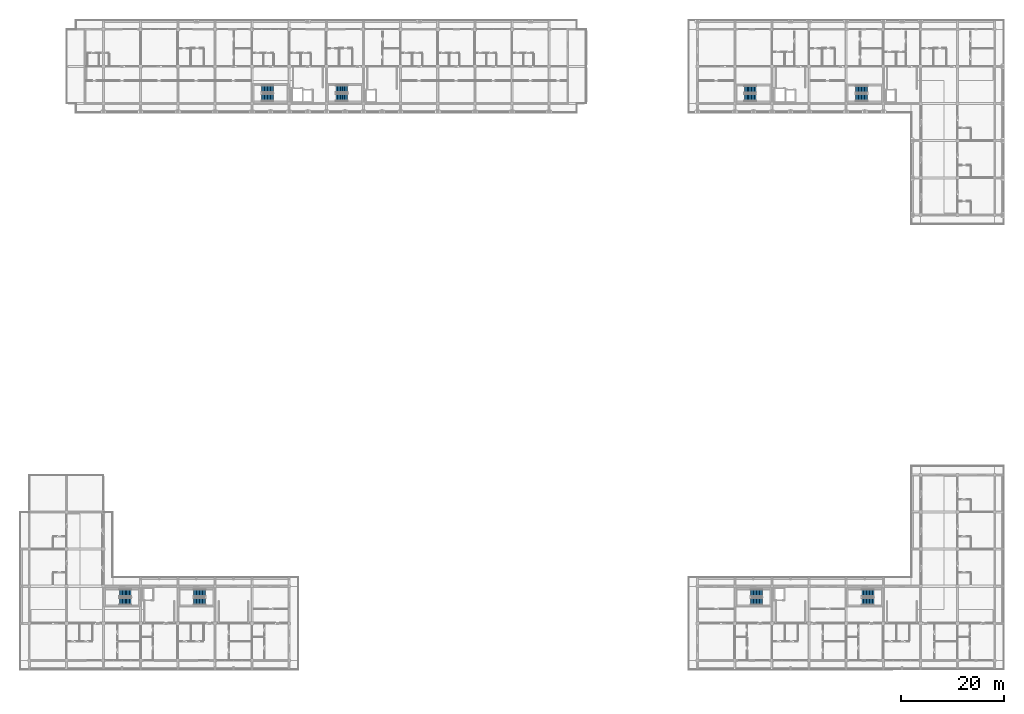
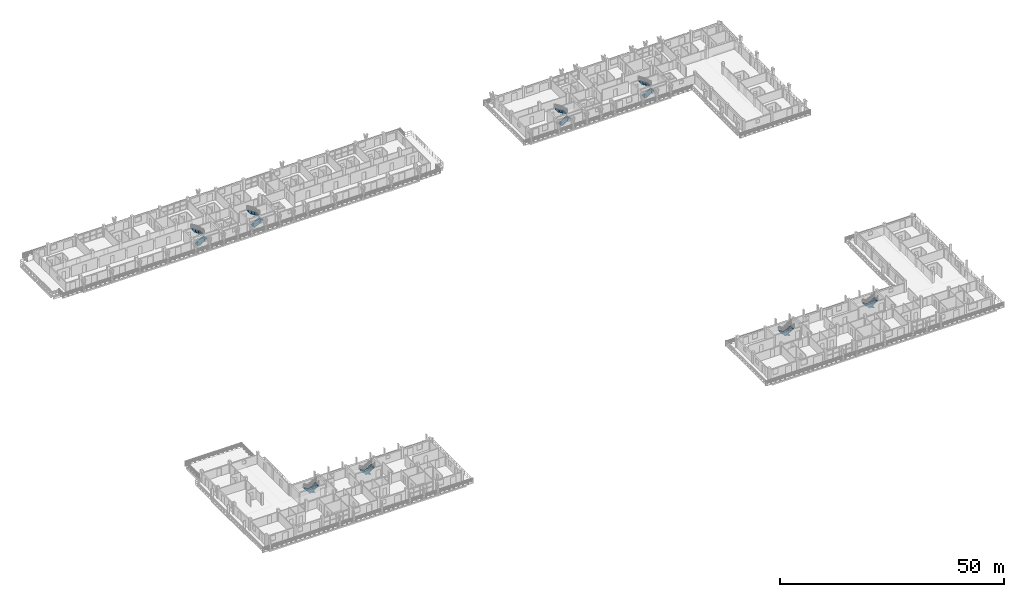
# One storey, part 53 of 67: 16 stair flights, 8 elements without a shape of their own.
"""IFC4 building model written with IfcOpenShell, lengths in metres."""

import ifcopenshell
import ifcopenshell.guid

model = None  # the IFC model being written
_history = None  # IfcOwnerHistory: only IFC2X3 demands one
_inside = {}  # id of a spatial element -> (the spatial element, [elements in it])
_under = {}  # id of a project, library or spatial element -> (it, [spatial elements below it])
_declared = {}  # id of a project -> (the project, [libraries it declares])
_typed = {}  # id of a type object -> (the type object, [elements of that type])
_made_of = {}  # id of a material, layer set ... -> (it, [elements and type objects made of it])


def new_model(schema):
    """Start an empty IFC model of exactly this schema.

    Asked for "IFC4X3", IfcOpenShell would pick the latest addendum, in which some entities
    have other attributes; the version numbers below select the first issue.
    IFC2X3 requires an IfcOwnerHistory on every rooted entity: one is made here for all.
    """
    global model, _history
    if schema == "IFC4X3":
        model = ifcopenshell.file(schema_version=(4, 3, 0, 0))
    else:
        model = ifcopenshell.file(schema=schema)
    _inside.clear()
    _under.clear()
    _declared.clear()
    _typed.clear()
    _made_of.clear()
    _history = None
    if model.schema == "IFC2X3":
        org = make("IfcOrganization", Name="unknown")
        user = make(
            "IfcPersonAndOrganization",
            ThePerson=make("IfcPerson", FamilyName="unknown"),
            TheOrganization=org,
        )
        app = make(
            "IfcApplication",
            ApplicationDeveloper=org,
            Version="unknown",
            ApplicationFullName="unknown",
            ApplicationIdentifier="unknown",
        )
        _history = make(
            "IfcOwnerHistory",
            OwningUser=user,
            OwningApplication=app,
            ChangeAction="ADDED",
            CreationDate=0,
        )
    return model


def make(cls, **values):
    """One entity of the class cls with the attributes given. An attribute that is None is left unset."""
    return model.create_entity(
        cls, **{name: value for name, value in values.items() if value is not None}
    )


def rooted(cls, **values):
    """An entity with a GlobalId (a new one), such as an element, a storey or a relation."""
    return make(cls, GlobalId=ifcopenshell.guid.new(), OwnerHistory=_history, **values)


def si_unit(unit_type, name, prefix=None):
    """IfcSIUnit, for example si_unit("LENGTHUNIT", "METRE", prefix="MILLI")."""
    return make("IfcSIUnit", UnitType=unit_type, Prefix=prefix, Name=name)


def assignment(units):
    """IfcUnitAssignment: the units of a project."""
    return None if units is None else make("IfcUnitAssignment", Units=units)


def point(xyz):
    """IfcCartesianPoint."""
    return None if xyz is None else make("IfcCartesianPoint", Coordinates=xyz)


def direction(xyz):
    """IfcDirection."""
    return None if xyz is None else make("IfcDirection", DirectionRatios=xyz)


def frame(location, z_axis=None, x_axis=None):
    """IfcAxis2Placement3D, a coordinate frame: its origin and axes. An axis left out is left unset."""
    return make(
        "IfcAxis2Placement3D",
        Location=point(location),
        Axis=direction(z_axis),
        RefDirection=direction(x_axis),
    )


def origin():
    """The frame at (0, 0, 0) with its axes left unset."""
    return frame((0.0, 0.0, 0.0))


def place(relative_to, where):
    """IfcLocalPlacement: puts the frame where relative to a parent placement (None: the world)."""
    return make(
        "IfcLocalPlacement", PlacementRelTo=relative_to, RelativePlacement=where
    )


def context(
    kind, dimensions, precision=None, world=None, true_north=None, identifier=None
):
    """IfcGeometricRepresentationContext, for example the 3D "Model" context."""
    return make(
        "IfcGeometricRepresentationContext",
        ContextIdentifier=identifier,
        ContextType=kind,
        CoordinateSpaceDimension=dimensions,
        Precision=precision,
        WorldCoordinateSystem=world,
        TrueNorth=true_north,
    )


def subcontext(parent, identifier, kind, view, scale=None):
    """IfcGeometricRepresentationSubContext, for example "Body" below "Model"."""
    return make(
        "IfcGeometricRepresentationSubContext",
        ContextIdentifier=identifier,
        ContextType=kind,
        ParentContext=parent,
        TargetScale=scale,
        TargetView=view,
    )


def project(units=None, contexts=None):
    """IfcProject with its units and contexts."""
    return rooted(
        "IfcProject",
        Name="project",
        RepresentationContexts=contexts,
        UnitsInContext=assignment(units),
    )


def spatial(cls, under=None, at=None, **own):
    """A site, building, storey or space (cls), placed at a placement, below another one or the project."""
    s = rooted(cls, ObjectPlacement=at, **own)
    if under is not None:
        _under.setdefault(under.id(), (under, []))[1].append(s)
    return s


def polyline(points):
    """IfcPolyline through the points."""
    return make("IfcPolyline", Points=[point(p) for p in points])


def outline(outer, holes=None, kind="AREA"):
    """IfcArbitraryClosedProfileDef: a profile drawn as a closed curve; with holes, ...WithVoids."""
    if holes is None:
        return make("IfcArbitraryClosedProfileDef", ProfileType=kind, OuterCurve=outer)
    return make(
        "IfcArbitraryProfileDefWithVoids",
        ProfileType=kind,
        OuterCurve=outer,
        InnerCurves=holes,
    )


def extrude(swept, where, along, depth):
    """IfcExtrudedAreaSolid: the profile swept, set in the frame where, extruded along a direction by depth."""
    return make(
        "IfcExtrudedAreaSolid",
        SweptArea=swept,
        Position=where,
        ExtrudedDirection=direction(along),
        Depth=depth,
    )


def shape(context_of_items, identifier, shape_type, items):
    """IfcShapeRepresentation: the items that make up one representation, for example the "Body"."""
    return make(
        "IfcShapeRepresentation",
        ContextOfItems=context_of_items,
        RepresentationIdentifier=identifier,
        RepresentationType=shape_type,
        Items=items,
    )


def material(Name=None, Category=None):
    """IfcMaterial."""
    return make("IfcMaterial", Name=Name, Category=Category)


def made_of(thing, what):
    """Note that an element or type object is made of a material, layer set ...; save() writes the relation."""
    if what is not None:
        _made_of.setdefault(what.id(), (what, []))[1].append(thing)
    return thing


def type_object(cls, material=None, **own):
    """A type object (cls), such as IfcWallType, which elements share."""
    return made_of(rooted(cls, **own), material)


def element(
    cls,
    number,
    at=None,
    inside=None,
    cuts=None,
    type_object=None,
    material=None,
    context=None,
    identifier="Body",
    shape_type=None,
    held_by="IfcProductDefinitionShape",
    body=None,
    shapes=None,
    **own,
):
    """One element of the class cls, such as IfcWall. Its Tag is "e" and its number.

    at: its placement. inside: the storey or other place that contains it. cuts: it is an
    opening in that element (IfcRelVoidsElement). A single representation is given by context,
    identifier, shape_type and body (its items); several are given by shapes. held_by: the class
    of the entity that holds the representations. save() writes the other relations.
    """
    e = rooted(cls, Tag="e%d" % number, ObjectPlacement=at, **own)
    if body is not None:
        shapes = [shape(context, identifier, shape_type, body)]
    if shapes is not None:
        e.Representation = make(held_by, Representations=shapes)
    if inside is not None:
        _inside.setdefault(inside.id(), (inside, []))[1].append(e)
    if cuts is not None:
        rooted(
            "IfcRelVoidsElement", RelatingBuildingElement=cuts, RelatedOpeningElement=e
        )
    if type_object is not None:
        _typed.setdefault(type_object.id(), (type_object, []))[1].append(e)
    return made_of(e, material)


def aggregate(whole, parts):
    """IfcRelAggregates: a whole, such as a stair, and the parts it consists of."""
    return rooted("IfcRelAggregates", RelatingObject=whole, RelatedObjects=parts)


def save(model, path):
    """Write the relations noted so far, then the file.

    IfcRelAggregates (storeys below a building ...), IfcRelContainedInSpatialStructure (elements
    in a storey), IfcRelDefinesByType, IfcRelAssociatesMaterial and IfcRelDeclares: one each for
    every whole, place, type object, material and project.
    """
    for whole, parts in _under.values():
        aggregate(whole, parts)
    for where, things in _inside.values():
        rooted(
            "IfcRelContainedInSpatialStructure",
            RelatedElements=things,
            RelatingStructure=where,
        )
    for kind, things in _typed.values():
        rooted("IfcRelDefinesByType", RelatedObjects=things, RelatingType=kind)
    for what, things in _made_of.values():
        rooted("IfcRelAssociatesMaterial", RelatedObjects=things, RelatingMaterial=what)
    for by, libraries in _declared.values():
        rooted("IfcRelDeclares", RelatingContext=by, RelatedDefinitions=libraries)
    model.write(path)


model = new_model("IFC4")

# Units and contexts
model_context = context("Model", 3, precision=1e-05, world=origin(), true_north=direction((0.0, 1.0)))
body_context = subcontext(model_context, "Body", "Model", "MODEL_VIEW")
ifc_project = project(units=[si_unit("LENGTHUNIT", "METRE"), si_unit("AREAUNIT", "SQUARE_METRE"), si_unit("VOLUMEUNIT", "CUBIC_METRE"), si_unit("PLANEANGLEUNIT", "RADIAN"), si_unit("MASSUNIT", "GRAM", prefix="KILO")], contexts=[model_context])

# Site, building, storey
site_placement = place(None, origin())
site = spatial("IfcSite", under=ifc_project, at=site_placement, CompositionType="ELEMENT")
building_placement = place(site_placement, origin())
building = spatial("IfcBuilding", under=site, at=building_placement, Name="Suanplinth Sawtooth Commons", CompositionType="ELEMENT")
storey_placement = place(building_placement, frame((0.0, 0.0, 25.10009765625)))
storey = spatial("IfcBuildingStorey", under=building, at=storey_placement, Name="L07", CompositionType="ELEMENT", Elevation=25.10009765625)

# Stair, stair flights
ifc_material = material(Name="Concrete C40/50", Category="concrete")
stair_type_1 = type_object("IfcStairType", Name="ST-03", PredefinedType="USERDEFINED", material=ifc_material)
stair_1_placement = place(storey_placement, origin())
stair_1 = element("IfcStair", 1, at=stair_1_placement, inside=storey, type_object=stair_type_1, Name="L07 Exit Stair ST-N1", ObjectType="TWO_RETURN_STAIR", PredefinedType="USERDEFINED")
stair_flight_type_1 = type_object("IfcStairFlightType", Name="SF-04", PredefinedType="STRAIGHT", material=ifc_material)
stair_flight_1_placement = place(storey_placement, frame((45.050048828125, 109.175048828125, 0.0), z_axis=(0.0, 0.0, 1.0), x_axis=(1.0, 0.0, 0.0)))
stair_flight_1 = element("IfcStairFlight", 2, at=stair_flight_1_placement, type_object=stair_flight_type_1, Name="ST-03 flight 1", NumberOfRisers=9, NumberOfTreads=8, PredefinedType="STRAIGHT", RiserHeight=0.177777778, TreadLength=0.285, context=body_context, shape_type="SweptSolid", body=[
    extrude(outline(polyline([(0.0, 0.0), (0.0, 0.177734375), (0.284912109375, 0.177734375), (0.284912109375, 0.35546875), (0.570068359375, 0.35546875), (0.570068359375, 0.533447265625), (0.85498046875, 0.533447265625), (0.85498046875, 0.711181640625), (1.139892578125, 0.711181640625), (1.139892578125, 0.888916015625), (1.425048828125, 0.888916015625), (1.425048828125, 1.066650390625), (1.7099609375, 1.066650390625), (1.7099609375, 1.244384765625), (1.9951171875, 1.244384765625), (1.9951171875, 1.422119140625), (2.280029296875, 1.422119140625), (2.280029296875, 1.60009765625), (2.280029296875, 1.233642578125), (0.30224609375, 0.0), (0.0, 0.0)])), frame((0.0, 0.72509765625, 0.0), z_axis=(0.0, -1.0, 0.0), x_axis=(1.0, 0.0, 0.0)), (0.0, 0.0, 1.0), 1.449951171875),
])
stair_flight_2_placement = place(storey_placement, frame((47.330078125, 110.824951171875, 1.599853515625), z_axis=(0.0, 0.0, 1.0), x_axis=(-1.0, 0.0, 0.0)))
stair_flight_2 = element("IfcStairFlight", 3, at=stair_flight_2_placement, type_object=stair_flight_type_1, Name="ST-03 flight 2", NumberOfRisers=9, NumberOfTreads=8, PredefinedType="STRAIGHT", RiserHeight=0.177777778, TreadLength=0.285, context=body_context, shape_type="SweptSolid", body=[
    extrude(outline(polyline([(0.0, 0.0), (0.0, 0.177734375), (0.284912109375, 0.177734375), (0.284912109375, 0.35546875), (0.570068359375, 0.35546875), (0.570068359375, 0.533447265625), (0.85498046875, 0.533447265625), (0.85498046875, 0.711181640625), (1.139892578125, 0.711181640625), (1.139892578125, 0.888916015625), (1.425048828125, 0.888916015625), (1.425048828125, 1.066650390625), (1.7099609375, 1.066650390625), (1.7099609375, 1.244384765625), (1.9951171875, 1.244384765625), (1.9951171875, 1.422119140625), (2.280029296875, 1.422119140625), (2.280029296875, 1.60009765625), (2.280029296875, 1.233642578125), (0.30224609375, 0.0), (0.0, 0.0)])), frame((0.0, 0.72509765625, 0.0), z_axis=(0.0, -1.0, 0.0), x_axis=(1.0, 0.0, 0.0)), (0.0, 0.0, 1.0), 1.449951171875),
])
aggregate(stair_1, [stair_flight_1, stair_flight_2])

stair_2_placement = place(storey_placement, origin())
stair_2 = element("IfcStair", 4, at=stair_2_placement, inside=storey, type_object=stair_type_1, Name="L07 Exit Stair ST-N2", ObjectType="TWO_RETURN_STAIR", PredefinedType="USERDEFINED")
stair_flight_3_placement = place(storey_placement, frame((59.449951171875, 109.175048828125, 0.0), z_axis=(0.0, 0.0, 1.0), x_axis=(1.0, 0.0, 0.0)))
stair_flight_3 = element("IfcStairFlight", 5, at=stair_flight_3_placement, type_object=stair_flight_type_1, Name="ST-03 flight 1", NumberOfRisers=9, NumberOfTreads=8, PredefinedType="STRAIGHT", RiserHeight=0.177777778, TreadLength=0.285, context=body_context, shape_type="SweptSolid", body=[
    extrude(outline(polyline([(0.0, 0.0), (0.0, 0.177734375), (0.284912109375, 0.177734375), (0.284912109375, 0.35546875), (0.570068359375, 0.35546875), (0.570068359375, 0.533447265625), (0.85498046875, 0.533447265625), (0.85498046875, 0.711181640625), (1.139892578125, 0.711181640625), (1.139892578125, 0.888916015625), (1.425048828125, 0.888916015625), (1.425048828125, 1.066650390625), (1.7099609375, 1.066650390625), (1.7099609375, 1.244384765625), (1.9951171875, 1.244384765625), (1.9951171875, 1.422119140625), (2.280029296875, 1.422119140625), (2.280029296875, 1.60009765625), (2.280029296875, 1.233642578125), (0.30224609375, 0.0), (0.0, 0.0)])), frame((0.0, 0.72509765625, 0.0), z_axis=(0.0, -1.0, 0.0), x_axis=(1.0, 0.0, 0.0)), (0.0, 0.0, 1.0), 1.449951171875),
])
stair_flight_4_placement = place(storey_placement, frame((61.72998046875, 110.824951171875, 1.599853515625), z_axis=(0.0, 0.0, 1.0), x_axis=(-1.0, 0.0, 0.0)))
stair_flight_4 = element("IfcStairFlight", 6, at=stair_flight_4_placement, type_object=stair_flight_type_1, Name="ST-03 flight 2", NumberOfRisers=9, NumberOfTreads=8, PredefinedType="STRAIGHT", RiserHeight=0.177777778, TreadLength=0.285, context=body_context, shape_type="SweptSolid", body=[
    extrude(outline(polyline([(0.0, 0.0), (0.0, 0.177734375), (0.284912109375, 0.177734375), (0.284912109375, 0.35546875), (0.570068359375, 0.35546875), (0.570068359375, 0.533447265625), (0.85498046875, 0.533447265625), (0.85498046875, 0.711181640625), (1.139892578125, 0.711181640625), (1.139892578125, 0.888916015625), (1.425048828125, 0.888916015625), (1.425048828125, 1.066650390625), (1.7099609375, 1.066650390625), (1.7099609375, 1.244384765625), (1.9951171875, 1.244384765625), (1.9951171875, 1.422119140625), (2.280029296875, 1.422119140625), (2.280029296875, 1.60009765625), (2.280029296875, 1.233642578125), (0.30224609375, 0.0), (0.0, 0.0)])), frame((0.0, 0.72509765625, 0.0), z_axis=(0.0, -1.0, 0.0), x_axis=(1.0, 0.0, 0.0)), (0.0, 0.0, 1.0), 1.449951171875),
])
aggregate(stair_2, [stair_flight_3, stair_flight_4])

stair_type_2 = type_object("IfcStairType", Name="ST-07", PredefinedType="USERDEFINED", material=ifc_material)
stair_3_placement = place(storey_placement, origin())
stair_3 = element("IfcStair", 7, at=stair_3_placement, inside=storey, type_object=stair_type_2, Name="L07 Exit Stair ST-E1", ObjectType="TWO_RETURN_STAIR", PredefinedType="USERDEFINED")
stair_flight_type_2 = type_object("IfcStairFlightType", Name="SF-08", PredefinedType="STRAIGHT", material=ifc_material)
stair_flight_5_placement = place(storey_placement, frame((138.64990234375, 109.14990234375, 0.0), z_axis=(0.0, 0.0, 1.0), x_axis=(1.0, 0.0, 0.0)))
stair_flight_5 = element("IfcStairFlight", 8, at=stair_flight_5_placement, type_object=stair_flight_type_2, Name="ST-07 flight 1", NumberOfRisers=9, NumberOfTreads=8, PredefinedType="STRAIGHT", RiserHeight=0.177777778, TreadLength=0.285, context=body_context, shape_type="SweptSolid", body=[
    extrude(outline(polyline([(0.0, 0.0), (0.0, 0.177734375), (0.284912109375, 0.177734375), (0.284912109375, 0.35546875), (0.570068359375, 0.35546875), (0.570068359375, 0.533447265625), (0.85498046875, 0.533447265625), (0.85498046875, 0.711181640625), (1.139892578125, 0.711181640625), (1.139892578125, 0.888916015625), (1.425048828125, 0.888916015625), (1.425048828125, 1.066650390625), (1.7099609375, 1.066650390625), (1.7099609375, 1.244384765625), (1.9951171875, 1.244384765625), (1.9951171875, 1.422119140625), (2.280029296875, 1.422119140625), (2.280029296875, 1.60009765625), (2.280029296875, 1.233642578125), (0.30224609375, 0.0), (0.0, 0.0)])), frame((0.0, 0.699951171875, 0.0), z_axis=(0.0, -1.0, 0.0), x_axis=(1.0, 0.0, 0.0)), (0.0, 0.0, 1.0), 1.39990234375),
])
stair_flight_6_placement = place(storey_placement, frame((140.929931640625, 110.75, 1.599853515625), z_axis=(0.0, 0.0, 1.0), x_axis=(-1.0, 0.0, 0.0)))
stair_flight_6 = element("IfcStairFlight", 9, at=stair_flight_6_placement, type_object=stair_flight_type_2, Name="ST-07 flight 2", NumberOfRisers=9, NumberOfTreads=8, PredefinedType="STRAIGHT", RiserHeight=0.177777778, TreadLength=0.285, context=body_context, shape_type="SweptSolid", body=[
    extrude(outline(polyline([(0.0, 0.0), (0.0, 0.177734375), (0.284912109375, 0.177734375), (0.284912109375, 0.35546875), (0.570068359375, 0.35546875), (0.570068359375, 0.533447265625), (0.85498046875, 0.533447265625), (0.85498046875, 0.711181640625), (1.139892578125, 0.711181640625), (1.139892578125, 0.888916015625), (1.425048828125, 0.888916015625), (1.425048828125, 1.066650390625), (1.7099609375, 1.066650390625), (1.7099609375, 1.244384765625), (1.9951171875, 1.244384765625), (1.9951171875, 1.422119140625), (2.280029296875, 1.422119140625), (2.280029296875, 1.60009765625), (2.280029296875, 1.233642578125), (0.30224609375, 0.0), (0.0, 0.0)])), frame((0.0, 0.699951171875, 0.0), z_axis=(0.0, -1.0, 0.0), x_axis=(1.0, 0.0, 0.0)), (0.0, 0.0, 1.0), 1.39990234375),
])
aggregate(stair_3, [stair_flight_5, stair_flight_6])

stair_4_placement = place(storey_placement, origin())
stair_4 = element("IfcStair", 10, at=stair_4_placement, inside=storey, type_object=stair_type_2, Name="L07 Exit Stair ST-E2", ObjectType="TWO_RETURN_STAIR", PredefinedType="USERDEFINED")
stair_flight_7_placement = place(storey_placement, frame((160.25, 109.14990234375, 0.0), z_axis=(0.0, 0.0, 1.0), x_axis=(1.0, 0.0, 0.0)))
stair_flight_7 = element("IfcStairFlight", 11, at=stair_flight_7_placement, type_object=stair_flight_type_2, Name="ST-07 flight 1", NumberOfRisers=9, NumberOfTreads=8, PredefinedType="STRAIGHT", RiserHeight=0.177777778, TreadLength=0.285, context=body_context, shape_type="SweptSolid", body=[
    extrude(outline(polyline([(0.0, 0.0), (0.0, 0.177734375), (0.284912109375, 0.177734375), (0.284912109375, 0.35546875), (0.570068359375, 0.35546875), (0.570068359375, 0.533447265625), (0.85498046875, 0.533447265625), (0.85498046875, 0.711181640625), (1.139892578125, 0.711181640625), (1.139892578125, 0.888916015625), (1.425048828125, 0.888916015625), (1.425048828125, 1.066650390625), (1.7099609375, 1.066650390625), (1.7099609375, 1.244384765625), (1.9951171875, 1.244384765625), (1.9951171875, 1.422119140625), (2.280029296875, 1.422119140625), (2.280029296875, 1.60009765625), (2.280029296875, 1.233642578125), (0.30224609375, 0.0), (0.0, 0.0)])), frame((0.0, 0.699951171875, 0.0), z_axis=(0.0, -1.0, 0.0), x_axis=(1.0, 0.0, 0.0)), (0.0, 0.0, 1.0), 1.39990234375),
])
stair_flight_8_placement = place(storey_placement, frame((162.530029296875, 110.75, 1.599853515625), z_axis=(0.0, 0.0, 1.0), x_axis=(-1.0, 0.0, 0.0)))
stair_flight_8 = element("IfcStairFlight", 12, at=stair_flight_8_placement, type_object=stair_flight_type_2, Name="ST-07 flight 2", NumberOfRisers=9, NumberOfTreads=8, PredefinedType="STRAIGHT", RiserHeight=0.177777778, TreadLength=0.285, context=body_context, shape_type="SweptSolid", body=[
    extrude(outline(polyline([(0.0, 0.0), (0.0, 0.177734375), (0.284912109375, 0.177734375), (0.284912109375, 0.35546875), (0.570068359375, 0.35546875), (0.570068359375, 0.533447265625), (0.85498046875, 0.533447265625), (0.85498046875, 0.711181640625), (1.139892578125, 0.711181640625), (1.139892578125, 0.888916015625), (1.425048828125, 0.888916015625), (1.425048828125, 1.066650390625), (1.7099609375, 1.066650390625), (1.7099609375, 1.244384765625), (1.9951171875, 1.244384765625), (1.9951171875, 1.422119140625), (2.280029296875, 1.422119140625), (2.280029296875, 1.60009765625), (2.280029296875, 1.233642578125), (0.30224609375, 0.0), (0.0, 0.0)])), frame((0.0, 0.699951171875, 0.0), z_axis=(0.0, -1.0, 0.0), x_axis=(1.0, 0.0, 0.0)), (0.0, 0.0, 1.0), 1.39990234375),
])
aggregate(stair_4, [stair_flight_7, stair_flight_8])

stair_5_placement = place(storey_placement, origin())
stair_5 = element("IfcStair", 13, at=stair_5_placement, inside=storey, type_object=stair_type_2, Name="L07 Exit Stair ST-S1", ObjectType="TWO_RETURN_STAIR", PredefinedType="USERDEFINED")
stair_flight_9_placement = place(storey_placement, frame((142.14990234375, 13.050048828125, 0.0), z_axis=(0.0, 0.0, 1.0), x_axis=(-1.0, 0.0, 0.0)))
stair_flight_9 = element("IfcStairFlight", 14, at=stair_flight_9_placement, type_object=stair_flight_type_2, Name="ST-07 flight 1", NumberOfRisers=9, NumberOfTreads=8, PredefinedType="STRAIGHT", RiserHeight=0.177777778, TreadLength=0.285, context=body_context, shape_type="SweptSolid", body=[
    extrude(outline(polyline([(0.0, 0.0), (0.0, 0.177734375), (0.284912109375, 0.177734375), (0.284912109375, 0.35546875), (0.570068359375, 0.35546875), (0.570068359375, 0.533447265625), (0.85498046875, 0.533447265625), (0.85498046875, 0.711181640625), (1.139892578125, 0.711181640625), (1.139892578125, 0.888916015625), (1.425048828125, 0.888916015625), (1.425048828125, 1.066650390625), (1.7099609375, 1.066650390625), (1.7099609375, 1.244384765625), (1.9951171875, 1.244384765625), (1.9951171875, 1.422119140625), (2.280029296875, 1.422119140625), (2.280029296875, 1.60009765625), (2.280029296875, 1.233642578125), (0.30224609375, 0.0), (0.0, 0.0)])), frame((0.0, 0.699951171875, 0.0), z_axis=(0.0, -1.0, 0.0), x_axis=(1.0, 0.0, 0.0)), (0.0, 0.0, 1.0), 1.39990234375),
])
stair_flight_10_placement = place(storey_placement, frame((139.8701171875, 11.449951171875, 1.599853515625), z_axis=(0.0, 0.0, 1.0), x_axis=(1.0, 0.0, 0.0)))
stair_flight_10 = element("IfcStairFlight", 15, at=stair_flight_10_placement, type_object=stair_flight_type_2, Name="ST-07 flight 2", NumberOfRisers=9, NumberOfTreads=8, PredefinedType="STRAIGHT", RiserHeight=0.177777778, TreadLength=0.285, context=body_context, shape_type="SweptSolid", body=[
    extrude(outline(polyline([(0.0, 0.0), (0.0, 0.177734375), (0.284912109375, 0.177734375), (0.284912109375, 0.35546875), (0.570068359375, 0.35546875), (0.570068359375, 0.533447265625), (0.85498046875, 0.533447265625), (0.85498046875, 0.711181640625), (1.139892578125, 0.711181640625), (1.139892578125, 0.888916015625), (1.425048828125, 0.888916015625), (1.425048828125, 1.066650390625), (1.7099609375, 1.066650390625), (1.7099609375, 1.244384765625), (1.9951171875, 1.244384765625), (1.9951171875, 1.422119140625), (2.280029296875, 1.422119140625), (2.280029296875, 1.60009765625), (2.280029296875, 1.233642578125), (0.30224609375, 0.0), (0.0, 0.0)])), frame((0.0, 0.699951171875, 0.0), z_axis=(0.0, -1.0, 0.0), x_axis=(1.0, 0.0, 0.0)), (0.0, 0.0, 1.0), 1.39990234375),
])
aggregate(stair_5, [stair_flight_9, stair_flight_10])

stair_6_placement = place(storey_placement, origin())
stair_6 = element("IfcStair", 16, at=stair_6_placement, inside=storey, type_object=stair_type_2, Name="L07 Exit Stair ST-S2", ObjectType="TWO_RETURN_STAIR", PredefinedType="USERDEFINED")
stair_flight_11_placement = place(storey_placement, frame((163.75, 13.050048828125, 0.0), z_axis=(0.0, 0.0, 1.0), x_axis=(-1.0, 0.0, 0.0)))
stair_flight_11 = element("IfcStairFlight", 17, at=stair_flight_11_placement, type_object=stair_flight_type_2, Name="ST-07 flight 1", NumberOfRisers=9, NumberOfTreads=8, PredefinedType="STRAIGHT", RiserHeight=0.177777778, TreadLength=0.285, context=body_context, shape_type="SweptSolid", body=[
    extrude(outline(polyline([(0.0, 0.0), (0.0, 0.177734375), (0.284912109375, 0.177734375), (0.284912109375, 0.35546875), (0.570068359375, 0.35546875), (0.570068359375, 0.533447265625), (0.85498046875, 0.533447265625), (0.85498046875, 0.711181640625), (1.139892578125, 0.711181640625), (1.139892578125, 0.888916015625), (1.425048828125, 0.888916015625), (1.425048828125, 1.066650390625), (1.7099609375, 1.066650390625), (1.7099609375, 1.244384765625), (1.9951171875, 1.244384765625), (1.9951171875, 1.422119140625), (2.280029296875, 1.422119140625), (2.280029296875, 1.60009765625), (2.280029296875, 1.233642578125), (0.30224609375, 0.0), (0.0, 0.0)])), frame((0.0, 0.699951171875, 0.0), z_axis=(0.0, -1.0, 0.0), x_axis=(1.0, 0.0, 0.0)), (0.0, 0.0, 1.0), 1.39990234375),
])
stair_flight_12_placement = place(storey_placement, frame((161.469970703125, 11.449951171875, 1.599853515625), z_axis=(0.0, 0.0, 1.0), x_axis=(1.0, 0.0, 0.0)))
stair_flight_12 = element("IfcStairFlight", 18, at=stair_flight_12_placement, type_object=stair_flight_type_2, Name="ST-07 flight 2", NumberOfRisers=9, NumberOfTreads=8, PredefinedType="STRAIGHT", RiserHeight=0.177777778, TreadLength=0.285, context=body_context, shape_type="SweptSolid", body=[
    extrude(outline(polyline([(0.0, 0.0), (0.0, 0.177734375), (0.284912109375, 0.177734375), (0.284912109375, 0.35546875), (0.570068359375, 0.35546875), (0.570068359375, 0.533447265625), (0.85498046875, 0.533447265625), (0.85498046875, 0.711181640625), (1.139892578125, 0.711181640625), (1.139892578125, 0.888916015625), (1.425048828125, 0.888916015625), (1.425048828125, 1.066650390625), (1.7099609375, 1.066650390625), (1.7099609375, 1.244384765625), (1.9951171875, 1.244384765625), (1.9951171875, 1.422119140625), (2.280029296875, 1.422119140625), (2.280029296875, 1.60009765625), (2.280029296875, 1.233642578125), (0.30224609375, 0.0), (0.0, 0.0)])), frame((0.0, 0.699951171875, 0.0), z_axis=(0.0, -1.0, 0.0), x_axis=(1.0, 0.0, 0.0)), (0.0, 0.0, 1.0), 1.39990234375),
])
aggregate(stair_6, [stair_flight_11, stair_flight_12])

stair_7_placement = place(storey_placement, origin())
stair_7 = element("IfcStair", 19, at=stair_7_placement, inside=storey, type_object=stair_type_2, Name="L07 Exit Stair ST-W1", ObjectType="TWO_RETURN_STAIR", PredefinedType="USERDEFINED")
stair_flight_13_placement = place(storey_placement, frame((19.75, 13.050048828125, 0.0), z_axis=(0.0, 0.0, 1.0), x_axis=(-1.0, 0.0, 0.0)))
stair_flight_13 = element("IfcStairFlight", 20, at=stair_flight_13_placement, type_object=stair_flight_type_2, Name="ST-07 flight 1", NumberOfRisers=9, NumberOfTreads=8, PredefinedType="STRAIGHT", RiserHeight=0.177777778, TreadLength=0.285, context=body_context, shape_type="SweptSolid", body=[
    extrude(outline(polyline([(0.0, 0.0), (0.0, 0.177734375), (0.284912109375, 0.177734375), (0.284912109375, 0.35546875), (0.570068359375, 0.35546875), (0.570068359375, 0.533447265625), (0.85498046875, 0.533447265625), (0.85498046875, 0.711181640625), (1.139892578125, 0.711181640625), (1.139892578125, 0.888916015625), (1.425048828125, 0.888916015625), (1.425048828125, 1.066650390625), (1.7099609375, 1.066650390625), (1.7099609375, 1.244384765625), (1.9951171875, 1.244384765625), (1.9951171875, 1.422119140625), (2.280029296875, 1.422119140625), (2.280029296875, 1.60009765625), (2.280029296875, 1.233642578125), (0.30224609375, 0.0), (0.0, 0.0)])), frame((0.0, 0.699951171875, 0.0), z_axis=(0.0, -1.0, 0.0), x_axis=(1.0, 0.0, 0.0)), (0.0, 0.0, 1.0), 1.39990234375),
])
stair_flight_14_placement = place(storey_placement, frame((17.469970703125, 11.449951171875, 1.599853515625), z_axis=(0.0, 0.0, 1.0), x_axis=(1.0, 0.0, 0.0)))
stair_flight_14 = element("IfcStairFlight", 21, at=stair_flight_14_placement, type_object=stair_flight_type_2, Name="ST-07 flight 2", NumberOfRisers=9, NumberOfTreads=8, PredefinedType="STRAIGHT", RiserHeight=0.177777778, TreadLength=0.285, context=body_context, shape_type="SweptSolid", body=[
    extrude(outline(polyline([(0.0, 0.0), (0.0, 0.177734375), (0.284912109375, 0.177734375), (0.284912109375, 0.35546875), (0.570068359375, 0.35546875), (0.570068359375, 0.533447265625), (0.85498046875, 0.533447265625), (0.85498046875, 0.711181640625), (1.139892578125, 0.711181640625), (1.139892578125, 0.888916015625), (1.425048828125, 0.888916015625), (1.425048828125, 1.066650390625), (1.7099609375, 1.066650390625), (1.7099609375, 1.244384765625), (1.9951171875, 1.244384765625), (1.9951171875, 1.422119140625), (2.280029296875, 1.422119140625), (2.280029296875, 1.60009765625), (2.280029296875, 1.233642578125), (0.30224609375, 0.0), (0.0, 0.0)])), frame((0.0, 0.699951171875, 0.0), z_axis=(0.0, -1.0, 0.0), x_axis=(1.0, 0.0, 0.0)), (0.0, 0.0, 1.0), 1.39990234375),
])
aggregate(stair_7, [stair_flight_13, stair_flight_14])

stair_8_placement = place(storey_placement, origin())
stair_8 = element("IfcStair", 22, at=stair_8_placement, inside=storey, type_object=stair_type_2, Name="L07 Exit Stair ST-W2", ObjectType="TWO_RETURN_STAIR", PredefinedType="USERDEFINED")
stair_flight_15_placement = place(storey_placement, frame((34.14990234375, 13.050048828125, 0.0), z_axis=(0.0, 0.0, 1.0), x_axis=(-1.0, 0.0, 0.0)))
stair_flight_15 = element("IfcStairFlight", 23, at=stair_flight_15_placement, type_object=stair_flight_type_2, Name="ST-07 flight 1", NumberOfRisers=9, NumberOfTreads=8, PredefinedType="STRAIGHT", RiserHeight=0.177777778, TreadLength=0.285, context=body_context, shape_type="SweptSolid", body=[
    extrude(outline(polyline([(0.0, 0.0), (0.0, 0.177734375), (0.284912109375, 0.177734375), (0.284912109375, 0.35546875), (0.570068359375, 0.35546875), (0.570068359375, 0.533447265625), (0.85498046875, 0.533447265625), (0.85498046875, 0.711181640625), (1.139892578125, 0.711181640625), (1.139892578125, 0.888916015625), (1.425048828125, 0.888916015625), (1.425048828125, 1.066650390625), (1.7099609375, 1.066650390625), (1.7099609375, 1.244384765625), (1.9951171875, 1.244384765625), (1.9951171875, 1.422119140625), (2.280029296875, 1.422119140625), (2.280029296875, 1.60009765625), (2.280029296875, 1.233642578125), (0.30224609375, 0.0), (0.0, 0.0)])), frame((0.0, 0.699951171875, 0.0), z_axis=(0.0, -1.0, 0.0), x_axis=(1.0, 0.0, 0.0)), (0.0, 0.0, 1.0), 1.39990234375),
])
stair_flight_16_placement = place(storey_placement, frame((31.8701171875, 11.449951171875, 1.599853515625), z_axis=(0.0, 0.0, 1.0), x_axis=(1.0, 0.0, 0.0)))
stair_flight_16 = element("IfcStairFlight", 24, at=stair_flight_16_placement, type_object=stair_flight_type_2, Name="ST-07 flight 2", NumberOfRisers=9, NumberOfTreads=8, PredefinedType="STRAIGHT", RiserHeight=0.177777778, TreadLength=0.285, context=body_context, shape_type="SweptSolid", body=[
    extrude(outline(polyline([(0.0, 0.0), (0.0, 0.177734375), (0.284912109375, 0.177734375), (0.284912109375, 0.35546875), (0.570068359375, 0.35546875), (0.570068359375, 0.533447265625), (0.85498046875, 0.533447265625), (0.85498046875, 0.711181640625), (1.139892578125, 0.711181640625), (1.139892578125, 0.888916015625), (1.425048828125, 0.888916015625), (1.425048828125, 1.066650390625), (1.7099609375, 1.066650390625), (1.7099609375, 1.244384765625), (1.9951171875, 1.244384765625), (1.9951171875, 1.422119140625), (2.280029296875, 1.422119140625), (2.280029296875, 1.60009765625), (2.280029296875, 1.233642578125), (0.30224609375, 0.0), (0.0, 0.0)])), frame((0.0, 0.699951171875, 0.0), z_axis=(0.0, -1.0, 0.0), x_axis=(1.0, 0.0, 0.0)), (0.0, 0.0, 1.0), 1.39990234375),
])
aggregate(stair_8, [stair_flight_15, stair_flight_16])

save(model, "model.ifc")
